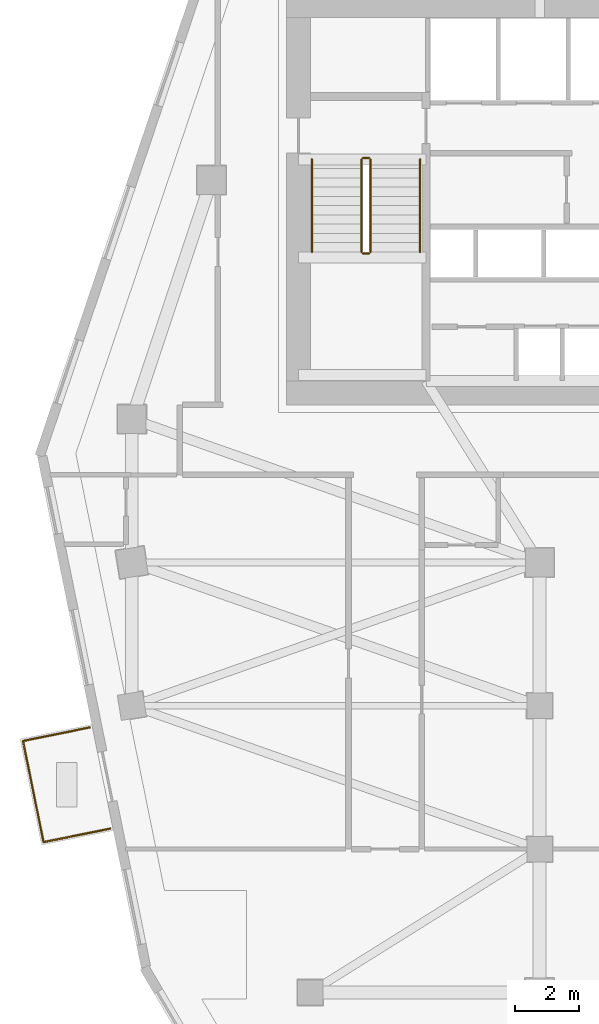
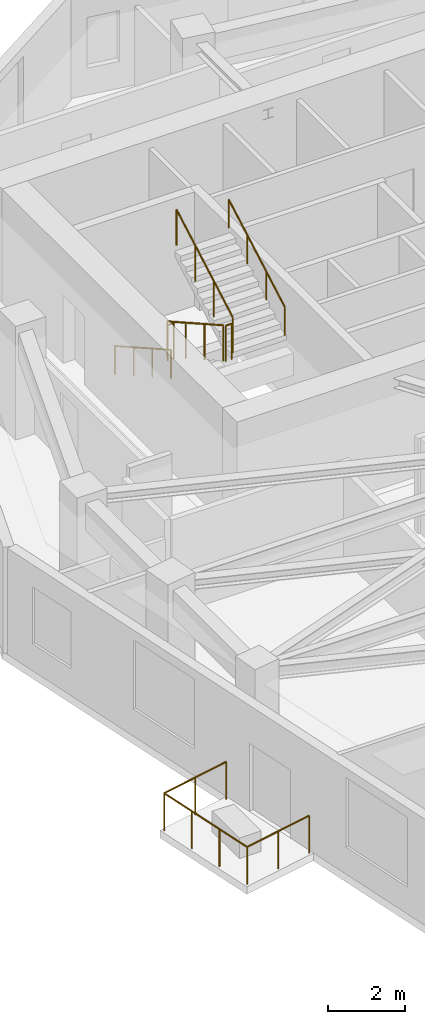
# One storey, part 8 of 10: 9 railings.
"""IFC4 building model written with IfcOpenShell, lengths in metres."""

from ifc_helpers import new_model, si_unit, direction, frame, origin, origin_2d, place, context, subcontext, project, spatial, circle, extrude, material, type_object, element, save


model = new_model("IFC4")

# Units and contexts
model_context = context("Model", 3, precision=1e-05, world=origin(), true_north=direction((0.0, 1.0)))
body_context = subcontext(model_context, "Body", "Model", "MODEL_VIEW")
ifc_project = project(units=[si_unit("LENGTHUNIT", "METRE"), si_unit("AREAUNIT", "SQUARE_METRE"), si_unit("VOLUMEUNIT", "CUBIC_METRE"), si_unit("PLANEANGLEUNIT", "RADIAN"), si_unit("MASSUNIT", "GRAM", prefix="KILO")], contexts=[model_context])

# Site, building, storey
site_placement = place(None, origin())
site = spatial("IfcSite", under=ifc_project, at=site_placement, CompositionType="ELEMENT")
building_placement = place(site_placement, origin())
building = spatial("IfcBuilding", under=site, at=building_placement, Name="Calvemar Wedge Station Tower", CompositionType="ELEMENT")
storey_placement = place(building_placement, frame((0.0, 0.0, 164.60009765625)))
storey = spatial("IfcBuildingStorey", under=building, at=storey_placement, Name="L41", CompositionType="ELEMENT", Elevation=164.60009765625)

# Railings
ifc_material_1 = material(Name="Stainless steel AISI 316L", Category="steel")
railing_type_1 = type_object("IfcRailingType", Name="GRD-TERR-1200", PredefinedType="GUARDRAIL", material=ifc_material_1)
railing_1_placement = place(storey_placement, frame((10.32373046875, 20.146484375, 0.0)))
element("IfcRailing", 1, at=railing_1_placement, inside=storey, type_object=railing_type_1, Name="Storey L41 Spiral Terrace Guard 2", PredefinedType="GUARDRAIL", context=body_context, shape_type="SweptSolid", body=[
    extrude(circle(Radius=0.02392578125, at=origin_2d()), frame((0.0, 0.0, 1.17578125), z_axis=(-0.980050562367, -0.198748321262, 0.0), x_axis=(0.198748321262, -0.980050562367, 0.0)), (0.0, 0.0, 1.0), 2.139892578125),
    extrude(circle(Radius=0.02099609375, at=origin_2d()), origin(), (0.0, 0.0, 1.0), 1.15185546875),
    extrude(circle(Radius=0.02099609375, at=origin_2d()), frame((-1.048583984375, -0.212646484375, 0.0)), (0.0, 0.0, 1.0), 1.15185546875),
    extrude(circle(Radius=0.02099609375, at=origin_2d()), frame((-2.09716796875, -0.42529296875, 0.0)), (0.0, 0.0, 1.0), 1.15185546875),
])
railing_2_placement = place(storey_placement, frame((8.2265625, 19.72119140625, 0.0)))
element("IfcRailing", 2, at=railing_2_placement, inside=storey, type_object=railing_type_1, Name="Storey L41 Spiral Terrace Guard 3", PredefinedType="GUARDRAIL", context=body_context, shape_type="SweptSolid", body=[
    extrude(circle(Radius=0.02392578125, at=origin_2d()), frame((0.0, 0.0, 1.17578125), z_axis=(-0.198854128346, 0.980029099384, 0.0), x_axis=(-0.980029099384, -0.198854128346, 0.0)), (0.0, 0.0, 1.0), 3.239990234375),
    extrude(circle(Radius=0.02099609375, at=origin_2d()), origin(), (0.0, 0.0, 1.0), 1.15185546875),
    extrude(circle(Radius=0.02099609375, at=origin_2d()), frame((-0.21484375, 1.058349609375, 0.0)), (0.0, 0.0, 1.0), 1.15185546875),
    extrude(circle(Radius=0.02099609375, at=origin_2d()), frame((-0.429443359375, 2.116943359375, 0.0)), (0.0, 0.0, 1.0), 1.15185546875),
    extrude(circle(Radius=0.02099609375, at=origin_2d()), frame((-0.644287109375, 3.17529296875, 0.0)), (0.0, 0.0, 1.0), 1.15185546875),
])
railing_3_placement = place(storey_placement, frame((7.582275390625, 22.896484375, 0.0)))
element("IfcRailing", 3, at=railing_3_placement, inside=storey, type_object=railing_type_1, Name="Storey L41 Spiral Terrace Guard 4", PredefinedType="GUARDRAIL", context=body_context, shape_type="SweptSolid", body=[
    extrude(circle(Radius=0.02392578125, at=origin_2d()), frame((0.0, 0.0, 1.17578125), z_axis=(0.980050562367, 0.198748321262, 0.0), x_axis=(-0.198748321262, 0.980050562367, 0.0)), (0.0, 0.0, 1.0), 2.139892578125),
    extrude(circle(Radius=0.02099609375, at=origin_2d()), origin(), (0.0, 0.0, 1.0), 1.15185546875),
    extrude(circle(Radius=0.02099609375, at=origin_2d()), frame((1.048583984375, 0.212646484375, 0.0)), (0.0, 0.0, 1.0), 1.15185546875),
    extrude(circle(Radius=0.02099609375, at=origin_2d()), frame((2.09716796875, 0.42529296875, 0.0)), (0.0, 0.0, 1.0), 1.15185546875),
])
railing_type_2 = type_object("IfcRailingType", Name="RL-HANDRAIL-920", PredefinedType="HANDRAIL", material=ifc_material_1)
railing_4_placement = place(storey_placement, frame((16.64990234375, 41.14990234375, 0.16357421875)))
element("IfcRailing", 4, at=railing_4_placement, inside=storey, type_object=railing_type_2, Name="L41 ST-C1 stair handrail 1", PredefinedType="HANDRAIL", context=body_context, shape_type="SweptSolid", body=[
    extrude(circle(Radius=0.02392578125, at=origin_2d()), frame((0.0, 0.0, 0.89599609375), z_axis=(0.0, -0.870928581787, 0.491409610636), x_axis=(1.0, 0.0, 0.0)), (0.0, 0.0, 1.0), 3.32958984375),
    extrude(circle(Radius=0.02099609375, at=origin_2d()), origin(), (0.0, 0.0, 1.0), 0.871826171875),
    extrude(circle(Radius=0.02099609375, at=origin_2d()), frame((0.0, -0.966552734375, 0.54541015625)), (0.0, 0.0, 1.0), 0.871826171875),
    extrude(circle(Radius=0.02099609375, at=origin_2d()), frame((0.0, -1.933349609375, 1.0908203125)), (0.0, 0.0, 1.0), 0.871826171875),
    extrude(circle(Radius=0.02099609375, at=origin_2d()), frame((0.0, -2.89990234375, 1.63623046875)), (0.0, 0.0, 1.0), 0.871826171875),
])
railing_5_placement = place(storey_placement, frame((20.050048828125, 38.25, 1.963623046875)))
element("IfcRailing", 5, at=railing_5_placement, inside=storey, type_object=railing_type_2, Name="L41 ST-C1 stair handrail 2", PredefinedType="HANDRAIL", context=body_context, shape_type="SweptSolid", body=[
    extrude(circle(Radius=0.02392578125, at=origin_2d()), frame((0.0, 0.0, 0.89599609375), z_axis=(0.0, 0.870928581787, 0.491409610636), x_axis=(-1.0, 0.0, 0.0)), (0.0, 0.0, 1.0), 3.32958984375),
    extrude(circle(Radius=0.02099609375, at=origin_2d()), origin(), (0.0, 0.0, 1.0), 0.871826171875),
    extrude(circle(Radius=0.02099609375, at=origin_2d()), frame((0.0, 0.966552734375, 0.54541015625)), (0.0, 0.0, 1.0), 0.871826171875),
    extrude(circle(Radius=0.02099609375, at=origin_2d()), frame((0.0, 1.933349609375, 1.0908203125)), (0.0, 0.0, 1.0), 0.871826171875),
    extrude(circle(Radius=0.02099609375, at=origin_2d()), frame((0.0, 2.89990234375, 1.63623046875)), (0.0, 0.0, 1.0), 0.871826171875),
])
ifc_material_2 = material(Name="Painted steel guardrail ASTM A500 Grade C", Category="steel")
railing_type_3 = type_object("IfcRailingType", Name="RL-STAIR-GUARD-1150", PredefinedType="GUARDRAIL", material=ifc_material_2)
railing_6_placement = place(storey_placement, frame((18.2099609375, 41.14990234375, 0.16357421875)))
element("IfcRailing", 6, at=railing_6_placement, inside=storey, type_object=railing_type_3, Name="L41 ST-C1 stair guard 1", PredefinedType="GUARDRAIL", context=body_context, shape_type="SweptSolid", body=[
    extrude(circle(Radius=0.02392578125, at=origin_2d()), frame((0.0, 0.0, 1.1259765625), z_axis=(0.0, -0.870928581787, 0.491409610636), x_axis=(1.0, 0.0, 0.0)), (0.0, 0.0, 1.0), 3.32958984375),
    extrude(circle(Radius=0.02099609375, at=origin_2d()), origin(), (0.0, 0.0, 1.0), 1.101806640625),
    extrude(circle(Radius=0.02099609375, at=origin_2d()), frame((0.0, -0.966552734375, 0.54541015625)), (0.0, 0.0, 1.0), 1.101806640625),
    extrude(circle(Radius=0.02099609375, at=origin_2d()), frame((0.0, -1.933349609375, 1.0908203125)), (0.0, 0.0, 1.0), 1.101806640625),
    extrude(circle(Radius=0.02099609375, at=origin_2d()), frame((0.0, -2.89990234375, 1.63623046875)), (0.0, 0.0, 1.0), 1.101806640625),
])
railing_7_placement = place(storey_placement, frame((18.260009765625, 38.199951171875, 1.7998046875)))
element("IfcRailing", 7, at=railing_7_placement, inside=storey, type_object=railing_type_3, Name="L41 ST-C1 stair guard 2", PredefinedType="GUARDRAIL", context=body_context, shape_type="SweptSolid", body=[
    extrude(circle(Radius=0.02392578125, at=origin_2d()), frame((0.0, 0.0, 1.1259765625), z_axis=(1.0, 0.0, 0.0), x_axis=(0.0, 1.0, 0.0)), (0.0, 0.0, 1.0), 0.179931640625),
    extrude(circle(Radius=0.02099609375, at=origin_2d()), origin(), (0.0, 0.0, 1.0), 1.101806640625),
    extrude(circle(Radius=0.02099609375, at=origin_2d()), frame((0.179931640625, 0.0, 0.0)), (0.0, 0.0, 1.0), 1.101806640625),
])
railing_8_placement = place(storey_placement, frame((18.489990234375, 38.25, 1.963623046875)))
element("IfcRailing", 8, at=railing_8_placement, inside=storey, type_object=railing_type_3, Name="L41 ST-C1 stair guard 3", PredefinedType="GUARDRAIL", context=body_context, shape_type="SweptSolid", body=[
    extrude(circle(Radius=0.02392578125, at=origin_2d()), frame((0.0, 0.0, 1.1259765625), z_axis=(0.0, 0.870928581787, 0.491409610636), x_axis=(-1.0, 0.0, 0.0)), (0.0, 0.0, 1.0), 3.32958984375),
    extrude(circle(Radius=0.02099609375, at=origin_2d()), origin(), (0.0, 0.0, 1.0), 1.101806640625),
    extrude(circle(Radius=0.02099609375, at=origin_2d()), frame((0.0, 0.966552734375, 0.54541015625)), (0.0, 0.0, 1.0), 1.101806640625),
    extrude(circle(Radius=0.02099609375, at=origin_2d()), frame((0.0, 1.933349609375, 1.0908203125)), (0.0, 0.0, 1.0), 1.101806640625),
    extrude(circle(Radius=0.02099609375, at=origin_2d()), frame((0.0, 2.89990234375, 1.63623046875)), (0.0, 0.0, 1.0), 1.101806640625),
])
railing_9_placement = place(storey_placement, frame((18.260009765625, 41.199951171875, 0.0)))
element("IfcRailing", 9, at=railing_9_placement, inside=storey, type_object=railing_type_3, Name="L41 ST-C1 stair guard 4", PredefinedType="GUARDRAIL", context=body_context, shape_type="SweptSolid", body=[
    extrude(circle(Radius=0.02392578125, at=origin_2d()), frame((0.0, 0.0, 1.1259765625), z_axis=(1.0, 0.0, 0.0), x_axis=(0.0, 1.0, 0.0)), (0.0, 0.0, 1.0), 0.179931640625),
    extrude(circle(Radius=0.02099609375, at=origin_2d()), origin(), (0.0, 0.0, 1.0), 1.101806640625),
    extrude(circle(Radius=0.02099609375, at=origin_2d()), frame((0.179931640625, 0.0, 0.0)), (0.0, 0.0, 1.0), 1.101806640625),
])

save(model, "model.ifc")
